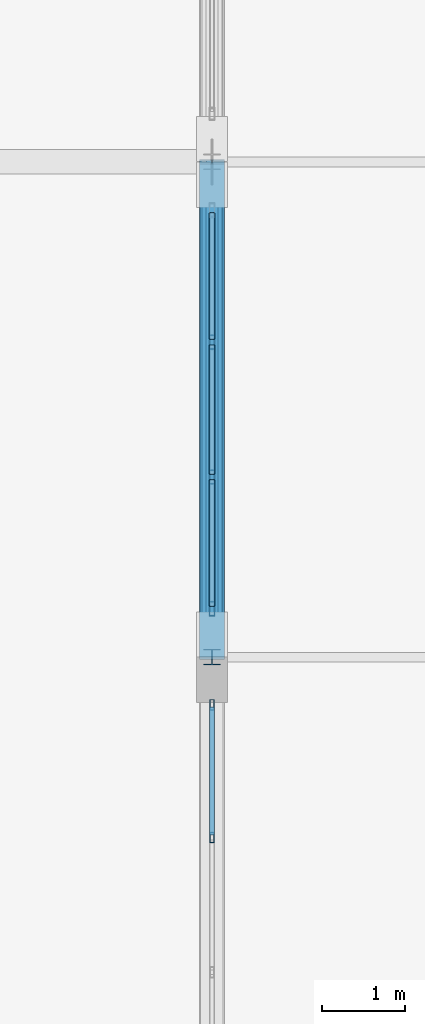
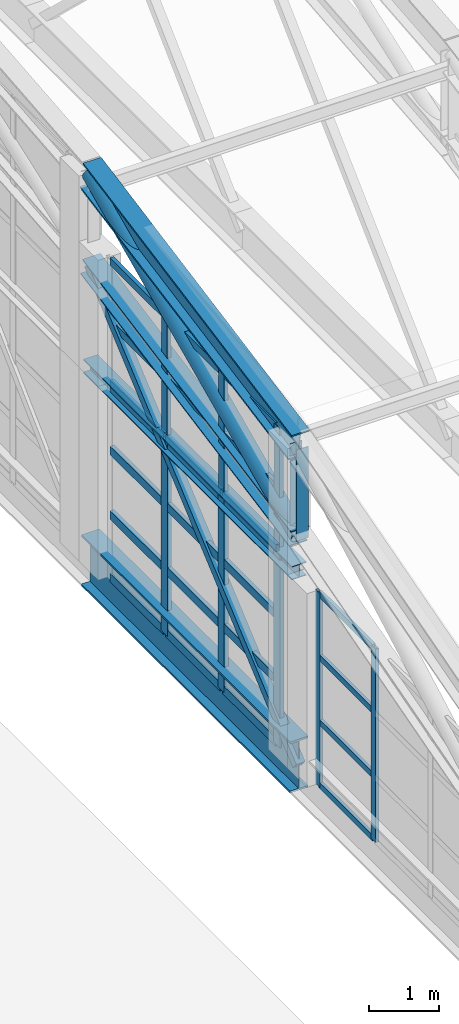
# One storey, part 77 of 204: 40 members, 3 elements without a shape of their own.
"""IFC4 building model written with IfcOpenShell, lengths in metres."""

import ifcopenshell
import ifcopenshell.guid

model = None  # the IFC model being written
_history = None  # IfcOwnerHistory: only IFC2X3 demands one
_inside = {}  # id of a spatial element -> (the spatial element, [elements in it])
_under = {}  # id of a project, library or spatial element -> (it, [spatial elements below it])
_declared = {}  # id of a project -> (the project, [libraries it declares])
_typed = {}  # id of a type object -> (the type object, [elements of that type])
_made_of = {}  # id of a material, layer set ... -> (it, [elements and type objects made of it])


def new_model(schema):
    """Start an empty IFC model of exactly this schema.

    Asked for "IFC4X3", IfcOpenShell would pick the latest addendum, in which some entities
    have other attributes; the version numbers below select the first issue.
    IFC2X3 requires an IfcOwnerHistory on every rooted entity: one is made here for all.
    """
    global model, _history
    if schema == "IFC4X3":
        model = ifcopenshell.file(schema_version=(4, 3, 0, 0))
    else:
        model = ifcopenshell.file(schema=schema)
    _inside.clear()
    _under.clear()
    _declared.clear()
    _typed.clear()
    _made_of.clear()
    _history = None
    if model.schema == "IFC2X3":
        org = make("IfcOrganization", Name="unknown")
        user = make(
            "IfcPersonAndOrganization",
            ThePerson=make("IfcPerson", FamilyName="unknown"),
            TheOrganization=org,
        )
        app = make(
            "IfcApplication",
            ApplicationDeveloper=org,
            Version="unknown",
            ApplicationFullName="unknown",
            ApplicationIdentifier="unknown",
        )
        _history = make(
            "IfcOwnerHistory",
            OwningUser=user,
            OwningApplication=app,
            ChangeAction="ADDED",
            CreationDate=0,
        )
    return model


def make(cls, **values):
    """One entity of the class cls with the attributes given. An attribute that is None is left unset."""
    return model.create_entity(
        cls, **{name: value for name, value in values.items() if value is not None}
    )


def rooted(cls, **values):
    """An entity with a GlobalId (a new one), such as an element, a storey or a relation."""
    return make(cls, GlobalId=ifcopenshell.guid.new(), OwnerHistory=_history, **values)


def si_unit(unit_type, name, prefix=None):
    """IfcSIUnit, for example si_unit("LENGTHUNIT", "METRE", prefix="MILLI")."""
    return make("IfcSIUnit", UnitType=unit_type, Prefix=prefix, Name=name)


def assignment(units):
    """IfcUnitAssignment: the units of a project."""
    return None if units is None else make("IfcUnitAssignment", Units=units)


def point(xyz):
    """IfcCartesianPoint."""
    return None if xyz is None else make("IfcCartesianPoint", Coordinates=xyz)


def direction(xyz):
    """IfcDirection."""
    return None if xyz is None else make("IfcDirection", DirectionRatios=xyz)


def frame(location, z_axis=None, x_axis=None):
    """IfcAxis2Placement3D, a coordinate frame: its origin and axes. An axis left out is left unset."""
    return make(
        "IfcAxis2Placement3D",
        Location=point(location),
        Axis=direction(z_axis),
        RefDirection=direction(x_axis),
    )


def frame_2d(location, x_axis=None):
    """IfcAxis2Placement2D, a coordinate frame in the plane: its origin and x axis."""
    return make(
        "IfcAxis2Placement2D", Location=point(location), RefDirection=direction(x_axis)
    )


def origin():
    """The frame at (0, 0, 0) with its axes left unset."""
    return frame((0.0, 0.0, 0.0))


def origin_2d():
    """The frame at (0, 0) in the plane with its x axis left unset."""
    return frame_2d((0.0, 0.0))


def place(relative_to, where):
    """IfcLocalPlacement: puts the frame where relative to a parent placement (None: the world)."""
    return make(
        "IfcLocalPlacement", PlacementRelTo=relative_to, RelativePlacement=where
    )


def context(
    kind, dimensions, precision=None, world=None, true_north=None, identifier=None
):
    """IfcGeometricRepresentationContext, for example the 3D "Model" context."""
    return make(
        "IfcGeometricRepresentationContext",
        ContextIdentifier=identifier,
        ContextType=kind,
        CoordinateSpaceDimension=dimensions,
        Precision=precision,
        WorldCoordinateSystem=world,
        TrueNorth=true_north,
    )


def subcontext(parent, identifier, kind, view, scale=None):
    """IfcGeometricRepresentationSubContext, for example "Body" below "Model"."""
    return make(
        "IfcGeometricRepresentationSubContext",
        ContextIdentifier=identifier,
        ContextType=kind,
        ParentContext=parent,
        TargetScale=scale,
        TargetView=view,
    )


def project(units=None, contexts=None):
    """IfcProject with its units and contexts."""
    return rooted(
        "IfcProject",
        Name="project",
        RepresentationContexts=contexts,
        UnitsInContext=assignment(units),
    )


def spatial(cls, under=None, at=None, **own):
    """A site, building, storey or space (cls), placed at a placement, below another one or the project."""
    s = rooted(cls, ObjectPlacement=at, **own)
    if under is not None:
        _under.setdefault(under.id(), (under, []))[1].append(s)
    return s


def profile(cls, at=None, kind="AREA", **sizes):
    """A parametric profile (cls). Its sizes go by their IFC names, for example OverallWidth=200.0."""
    return make(cls, ProfileType=kind, Position=at, **sizes)


def hollow_rectangle(**sizes):
    """IfcRectangleHollowProfileDef."""
    return profile("IfcRectangleHollowProfileDef", **sizes)


def hollow_circle(**sizes):
    """IfcCircleHollowProfileDef."""
    return profile("IfcCircleHollowProfileDef", **sizes)


def i_section(**sizes):
    """IfcIShapeProfileDef."""
    return profile("IfcIShapeProfileDef", **sizes)


def extrude(swept, where, along, depth):
    """IfcExtrudedAreaSolid: the profile swept, set in the frame where, extruded along a direction by depth."""
    return make(
        "IfcExtrudedAreaSolid",
        SweptArea=swept,
        Position=where,
        ExtrudedDirection=direction(along),
        Depth=depth,
    )


def shape(context_of_items, identifier, shape_type, items):
    """IfcShapeRepresentation: the items that make up one representation, for example the "Body"."""
    return make(
        "IfcShapeRepresentation",
        ContextOfItems=context_of_items,
        RepresentationIdentifier=identifier,
        RepresentationType=shape_type,
        Items=items,
    )


def material(Name=None, Category=None):
    """IfcMaterial."""
    return make("IfcMaterial", Name=Name, Category=Category)


def layer(
    of_material, thickness, ventilated=None, Name=None, Category=None, Priority=None
):
    """IfcMaterialLayer: one layer of a wall or slab, of a material (None: an air gap)."""
    return make(
        "IfcMaterialLayer",
        Material=of_material,
        LayerThickness=thickness,
        IsVentilated=ventilated,
        Name=Name,
        Category=Category,
        Priority=Priority,
    )


def layer_set(layers, Name=None):
    """IfcMaterialLayerSet."""
    return make("IfcMaterialLayerSet", MaterialLayers=layers, LayerSetName=Name)


def material_profile(
    of_material, cross_section, Name=None, Category=None, Priority=None
):
    """IfcMaterialProfile: a cross section and its material."""
    return make(
        "IfcMaterialProfile",
        Name=Name,
        Material=of_material,
        Profile=cross_section,
        Priority=Priority,
        Category=Category,
    )


def profile_set(profiles, Name=None, composite=None):
    """IfcMaterialProfileSet."""
    return make(
        "IfcMaterialProfileSet",
        Name=Name,
        MaterialProfiles=profiles,
        CompositeProfile=composite,
    )


def made_of(thing, what):
    """Note that an element or type object is made of a material, layer set ...; save() writes the relation."""
    if what is not None:
        _made_of.setdefault(what.id(), (what, []))[1].append(thing)
    return thing


def type_object(cls, material=None, **own):
    """A type object (cls), such as IfcWallType, which elements share."""
    return made_of(rooted(cls, **own), material)


def element(
    cls,
    number,
    at=None,
    inside=None,
    cuts=None,
    type_object=None,
    material=None,
    context=None,
    identifier="Body",
    shape_type=None,
    held_by="IfcProductDefinitionShape",
    body=None,
    shapes=None,
    **own,
):
    """One element of the class cls, such as IfcWall. Its Tag is "e" and its number.

    at: its placement. inside: the storey or other place that contains it. cuts: it is an
    opening in that element (IfcRelVoidsElement). A single representation is given by context,
    identifier, shape_type and body (its items); several are given by shapes. held_by: the class
    of the entity that holds the representations. save() writes the other relations.
    """
    e = rooted(cls, Tag="e%d" % number, ObjectPlacement=at, **own)
    if body is not None:
        shapes = [shape(context, identifier, shape_type, body)]
    if shapes is not None:
        e.Representation = make(held_by, Representations=shapes)
    if inside is not None:
        _inside.setdefault(inside.id(), (inside, []))[1].append(e)
    if cuts is not None:
        rooted(
            "IfcRelVoidsElement", RelatingBuildingElement=cuts, RelatedOpeningElement=e
        )
    if type_object is not None:
        _typed.setdefault(type_object.id(), (type_object, []))[1].append(e)
    return made_of(e, material)


def aggregate(whole, parts):
    """IfcRelAggregates: a whole, such as a stair, and the parts it consists of."""
    return rooted("IfcRelAggregates", RelatingObject=whole, RelatedObjects=parts)


def save(model, path):
    """Write the relations noted so far, then the file.

    IfcRelAggregates (storeys below a building ...), IfcRelContainedInSpatialStructure (elements
    in a storey), IfcRelDefinesByType, IfcRelAssociatesMaterial and IfcRelDeclares: one each for
    every whole, place, type object, material and project.
    """
    for whole, parts in _under.values():
        aggregate(whole, parts)
    for where, things in _inside.values():
        rooted(
            "IfcRelContainedInSpatialStructure",
            RelatedElements=things,
            RelatingStructure=where,
        )
    for kind, things in _typed.values():
        rooted("IfcRelDefinesByType", RelatedObjects=things, RelatingType=kind)
    for what, things in _made_of.values():
        rooted("IfcRelAssociatesMaterial", RelatedObjects=things, RelatingMaterial=what)
    for by, libraries in _declared.values():
        rooted("IfcRelDeclares", RelatingContext=by, RelatedDefinitions=libraries)
    model.write(path)


model = new_model("IFC4")

# Units and contexts
model_context = context("Model", 3, precision=1e-05, world=origin(), true_north=direction((0.0, 1.0)))
body_context = subcontext(model_context, "Body", "Model", "MODEL_VIEW")
ifc_project = project(units=[si_unit("LENGTHUNIT", "METRE"), si_unit("AREAUNIT", "SQUARE_METRE"), si_unit("VOLUMEUNIT", "CUBIC_METRE"), si_unit("PLANEANGLEUNIT", "RADIAN"), si_unit("MASSUNIT", "GRAM", prefix="KILO")], contexts=[model_context])

# Site, building, storey
site_placement = place(None, origin())
site = spatial("IfcSite", under=ifc_project, at=site_placement, CompositionType="ELEMENT")
building_placement = place(site_placement, origin())
building = spatial("IfcBuilding", under=site, at=building_placement, Name="Zilviju Railside Exhibition Hall", CompositionType="ELEMENT")
storey_placement = place(building_placement, frame((0.0, 0.0, 21.0)))
storey = spatial("IfcBuildingStorey", under=building, at=storey_placement, Name="RF", CompositionType="ELEMENT", Elevation=21.0)

# Curtain wall, members
ifc_material_1 = material(Name="Thermally broken aluminium-steel triple-glazed curtain wall", Category="steel")
ifc_layer_1 = layer(ifc_material_1, 0.179931640625)
ifc_layer_set_1 = layer_set([ifc_layer_1], Name="Thermally broken aluminium-steel triple-glazed curtain wall")
curtain_wall_type_1 = type_object("IfcCurtainWallType", Name="CW-BAY-20", PredefinedType="USERDEFINED", material=ifc_layer_set_1)
curtain_wall_1_placement = place(storey_placement, origin())
curtain_wall_1 = element("IfcCurtainWall", 1, at=curtain_wall_1_placement, inside=storey, type_object=curtain_wall_type_1, Name="North Hall Arch Lower Tympanum Glazing West P2", ObjectType="GLAZED CURTAIN WALL", PredefinedType="USERDEFINED")
ifc_material_2 = material(Name="Thermally broken anodized aluminium mullion", Category="aluminium")
ifc_material_profile_1 = material_profile(ifc_material_2, hollow_rectangle(XDim=0.054931640625, YDim=0.1298828125, WallThickness=0.0048828125, at=origin_2d()), Name="MULLION 130x55x5")
ifc_profile_set_1 = profile_set([ifc_material_profile_1], Name="Thermally broken anodized aluminium mullion")
member_type_1 = type_object("IfcMemberType", Name="CWM-55x130", PredefinedType="MULLION", material=ifc_profile_set_1)
member_1_placement = place(storey_placement, frame((78.0, 93.816650390625, -3.60009765625), z_axis=(0.0, 0.0, 1.0), x_axis=(-1.0, 0.0, 0.0)))
member_1 = element("IfcMember", 2, at=member_1_placement, type_object=member_type_1, Name="CW-20 mullion 3", PredefinedType="MULLION", context=body_context, shape_type="SweptSolid", body=[
    extrude(hollow_rectangle(XDim=0.054931640625, YDim=0.1298828125, WallThickness=0.0048828125, at=origin_2d()), origin(), (0.0, 0.0, 1.0), 3.400146484375),
])
member_2_placement = place(storey_placement, frame((78.0, 95.422607421875, -3.60009765625), z_axis=(0.0, 0.0, 1.0), x_axis=(-1.0, 0.0, 0.0)))
member_2 = element("IfcMember", 3, at=member_2_placement, type_object=member_type_1, Name="CW-20 mullion 4", PredefinedType="MULLION", context=body_context, shape_type="SweptSolid", body=[
    extrude(hollow_rectangle(XDim=0.054931640625, YDim=0.1298828125, WallThickness=0.0048828125, at=origin_2d()), origin(), (0.0, 0.0, 1.0), 3.400146484375),
])

ifc_layer_2 = layer(ifc_material_1, 0.179931640625)
ifc_layer_set_2 = layer_set([ifc_layer_2], Name="Thermally broken aluminium-steel triple-glazed curtain wall")
curtain_wall_type_2 = type_object("IfcCurtainWallType", Name="CW-BAY-08", PredefinedType="USERDEFINED", material=ifc_layer_set_2)
curtain_wall_2_placement = place(storey_placement, origin())
curtain_wall_2 = element("IfcCurtainWall", 4, at=curtain_wall_2_placement, inside=storey, type_object=curtain_wall_type_2, Name="North Hall Crown Arch Tympanum Glazing West P3", ObjectType="GLAZED CURTAIN WALL", PredefinedType="USERDEFINED")
ifc_material_profile_2 = material_profile(ifc_material_2, hollow_rectangle(XDim=0.06494140625, YDim=0.159912109375, WallThickness=0.0048828125, at=origin_2d()), Name="MULLION 160x65x5")
ifc_profile_set_2 = profile_set([ifc_material_profile_2], Name="Thermally broken anodized aluminium mullion")
member_type_2 = type_object("IfcMemberType", Name="CWM-65x160", PredefinedType="MULLION", material=ifc_profile_set_2)
member_3_placement = place(storey_placement, frame((78.0, 96.58251953125, -0.199951171875), z_axis=(0.0, 0.0, 1.0), x_axis=(-1.0, 0.0, 0.0)))
member_3 = element("IfcMember", 5, at=member_3_placement, type_object=member_type_2, Name="CW-08 mullion 1", PredefinedType="MULLION", context=body_context, shape_type="SweptSolid", body=[
    extrude(hollow_rectangle(XDim=0.06494140625, YDim=0.159912109375, WallThickness=0.0048828125, at=origin_2d()), origin(), (0.0, 0.0, 1.0), 2.209716796875),
])
member_4_placement = place(storey_placement, frame((78.0, 98.183349609375, -0.199951171875), z_axis=(0.0, 0.0, 1.0), x_axis=(-1.0, 0.0, 0.0)))
member_4 = element("IfcMember", 6, at=member_4_placement, type_object=member_type_2, Name="CW-08 mullion 2", PredefinedType="MULLION", context=body_context, shape_type="SweptSolid", body=[
    extrude(hollow_rectangle(XDim=0.06494140625, YDim=0.159912109375, WallThickness=0.0048828125, at=origin_2d()), origin(), (0.0, 0.0, 1.0), 2.209716796875),
])
member_5_placement = place(storey_placement, frame((78.0, 99.816650390625, -0.199951171875), z_axis=(0.0, 0.0, 1.0), x_axis=(-1.0, 0.0, 0.0)))
member_5 = element("IfcMember", 7, at=member_5_placement, type_object=member_type_2, Name="CW-08 mullion 3", PredefinedType="MULLION", context=body_context, shape_type="SweptSolid", body=[
    extrude(hollow_rectangle(XDim=0.06494140625, YDim=0.159912109375, WallThickness=0.0048828125, at=origin_2d()), origin(), (0.0, 0.0, 1.0), 2.209716796875),
])

ifc_layer_3 = layer(ifc_material_1, 0.179931640625)
ifc_layer_set_3 = layer_set([ifc_layer_3], Name="Thermally broken aluminium-steel triple-glazed curtain wall")
curtain_wall_type_3 = type_object("IfcCurtainWallType", Name="CW-BAY-01", PredefinedType="USERDEFINED", material=ifc_layer_set_3)
curtain_wall_3_placement = place(storey_placement, origin())
curtain_wall_3 = element("IfcCurtainWall", 8, at=curtain_wall_3_placement, inside=storey, type_object=curtain_wall_type_3, Name="North Hall Arch Lower Tympanum Glazing West P3", ObjectType="GLAZED CURTAIN WALL", PredefinedType="USERDEFINED")
ifc_material_profile_3 = material_profile(ifc_material_2, hollow_rectangle(XDim=0.070068359375, YDim=0.179931640625, WallThickness=0.0048828125, at=origin_2d()), Name="MULLION 180x70x5")
ifc_profile_set_3 = profile_set([ifc_material_profile_3], Name="Thermally broken anodized aluminium mullion")
member_type_3 = type_object("IfcMemberType", Name="CWM-70x180", PredefinedType="MULLION", material=ifc_profile_set_3)
member_6_placement = place(storey_placement, frame((78.0, 96.5849609375, -3.60009765625), z_axis=(0.0, 0.0, 1.0), x_axis=(-1.0, 0.0, 0.0)))
member_6 = element("IfcMember", 9, at=member_6_placement, type_object=member_type_3, Name="CW-01 mullion 1", PredefinedType="MULLION", context=body_context, shape_type="SweptSolid", body=[
    extrude(hollow_rectangle(XDim=0.070068359375, YDim=0.179931640625, WallThickness=0.0048828125, at=origin_2d()), origin(), (0.0, 0.0, 1.0), 3.400146484375),
])
member_7_placement = place(storey_placement, frame((78.0, 98.183349609375, -3.60009765625), z_axis=(0.0, 0.0, 1.0), x_axis=(-1.0, 0.0, 0.0)))
member_7 = element("IfcMember", 10, at=member_7_placement, type_object=member_type_3, Name="CW-01 mullion 2", PredefinedType="MULLION", context=body_context, shape_type="SweptSolid", body=[
    extrude(hollow_rectangle(XDim=0.070068359375, YDim=0.179931640625, WallThickness=0.0048828125, at=origin_2d()), origin(), (0.0, 0.0, 1.0), 3.400146484375),
])
member_8_placement = place(storey_placement, frame((78.0, 99.816650390625, -3.60009765625), z_axis=(0.0, 0.0, 1.0), x_axis=(-1.0, 0.0, 0.0)))
member_8 = element("IfcMember", 11, at=member_8_placement, type_object=member_type_3, Name="CW-01 mullion 3", PredefinedType="MULLION", context=body_context, shape_type="SweptSolid", body=[
    extrude(hollow_rectangle(XDim=0.070068359375, YDim=0.179931640625, WallThickness=0.0048828125, at=origin_2d()), origin(), (0.0, 0.0, 1.0), 3.400146484375),
])

# Member
ifc_material_3 = material(Name="Thermally broken anodized aluminium transom", Category="aluminium")
ifc_material_profile_4 = material_profile(ifc_material_3, hollow_rectangle(XDim=0.054931640625, YDim=0.10498046875, WallThickness=0.0048828125, at=origin_2d()), Name="TRANSOM 105x55x5")
ifc_profile_set_4 = profile_set([ifc_material_profile_4], Name="Thermally broken anodized aluminium transom")
member_type_4 = type_object("IfcMemberType", Name="CWT-55x105", PredefinedType="USERDEFINED", material=ifc_profile_set_4)
member_9_placement = place(storey_placement, frame((78.0, 93.84423828125, -3.572509765625), z_axis=(0.0, 1.0, 0.0), x_axis=(-1.0, 0.0, 0.0)))
member_9 = element("IfcMember", 12, at=member_9_placement, type_object=member_type_4, Name="CW-20 transom 3.1", ObjectType="TRANSOM", PredefinedType="USERDEFINED", context=body_context, shape_type="SweptSolid", body=[
    extrude(hollow_rectangle(XDim=0.054931640625, YDim=0.10498046875, WallThickness=0.0048828125, at=origin_2d()), origin(), (0.0, 0.0, 1.0), 1.55078125),
])

member_10_placement = place(storey_placement, frame((78.0, 93.84423828125, -2.467041015625), z_axis=(0.0, 1.0, 0.0), x_axis=(-1.0, 0.0, 0.0)))
member_10 = element("IfcMember", 13, at=member_10_placement, type_object=member_type_4, Name="CW-20 transom 3.2", ObjectType="TRANSOM", PredefinedType="USERDEFINED", context=body_context, shape_type="SweptSolid", body=[
    extrude(hollow_rectangle(XDim=0.054931640625, YDim=0.10498046875, WallThickness=0.0048828125, at=origin_2d()), origin(), (0.0, 0.0, 1.0), 1.55078125),
])

member_11_placement = place(storey_placement, frame((78.0, 93.84423828125, -1.3330078125), z_axis=(0.0, 1.0, 0.0), x_axis=(-1.0, 0.0, 0.0)))
member_11 = element("IfcMember", 14, at=member_11_placement, type_object=member_type_4, Name="CW-20 transom 3.3", ObjectType="TRANSOM", PredefinedType="USERDEFINED", context=body_context, shape_type="SweptSolid", body=[
    extrude(hollow_rectangle(XDim=0.054931640625, YDim=0.10498046875, WallThickness=0.0048828125, at=origin_2d()), origin(), (0.0, 0.0, 1.0), 1.55078125),
])

member_12_placement = place(storey_placement, frame((78.0, 93.84423828125, -0.2275390625), z_axis=(0.0, 1.0, 0.0), x_axis=(-1.0, 0.0, 0.0)))
member_12 = element("IfcMember", 15, at=member_12_placement, type_object=member_type_4, Name="CW-20 transom 3.4", ObjectType="TRANSOM", PredefinedType="USERDEFINED", context=body_context, shape_type="SweptSolid", body=[
    extrude(hollow_rectangle(XDim=0.054931640625, YDim=0.10498046875, WallThickness=0.0048828125, at=origin_2d()), origin(), (0.0, 0.0, 1.0), 1.55078125),
])

aggregate(curtain_wall_1, [member_1, member_2, member_9, member_10, member_11, member_12])

ifc_material_profile_5 = material_profile(ifc_material_3, hollow_rectangle(XDim=0.06494140625, YDim=0.1298828125, WallThickness=0.0048828125, at=origin_2d()), Name="TRANSOM 130x65x5")
ifc_profile_set_5 = profile_set([ifc_material_profile_5], Name="Thermally broken anodized aluminium transom")
member_type_5 = type_object("IfcMemberType", Name="CWT-65x130", PredefinedType="USERDEFINED", material=ifc_profile_set_5)
member_13_placement = place(storey_placement, frame((78.0, 96.614990234375, -0.16748046875), z_axis=(0.0, 1.0, 0.0), x_axis=(-1.0, 0.0, 0.0)))
member_13 = element("IfcMember", 16, at=member_13_placement, type_object=member_type_5, Name="CW-08 transom 1.1", ObjectType="TRANSOM", PredefinedType="USERDEFINED", context=body_context, shape_type="SweptSolid", body=[
    extrude(hollow_rectangle(XDim=0.06494140625, YDim=0.1298828125, WallThickness=0.0048828125, at=origin_2d()), origin(), (0.0, 0.0, 1.0), 1.535888671875),
])

member_14_placement = place(storey_placement, frame((78.0, 96.614990234375, 0.905029296875), z_axis=(0.0, 1.0, 0.0), x_axis=(-1.0, 0.0, 0.0)))
member_14 = element("IfcMember", 17, at=member_14_placement, type_object=member_type_5, Name="CW-08 transom 1.2", ObjectType="TRANSOM", PredefinedType="USERDEFINED", context=body_context, shape_type="SweptSolid", body=[
    extrude(hollow_rectangle(XDim=0.06494140625, YDim=0.1298828125, WallThickness=0.0048828125, at=origin_2d()), origin(), (0.0, 0.0, 1.0), 1.535888671875),
])

member_15_placement = place(storey_placement, frame((78.0, 96.614990234375, 1.977294921875), z_axis=(0.0, 1.0, 0.0), x_axis=(-1.0, 0.0, 0.0)))
member_15 = element("IfcMember", 18, at=member_15_placement, type_object=member_type_5, Name="CW-08 transom 1.3", ObjectType="TRANSOM", PredefinedType="USERDEFINED", context=body_context, shape_type="SweptSolid", body=[
    extrude(hollow_rectangle(XDim=0.06494140625, YDim=0.1298828125, WallThickness=0.0048828125, at=origin_2d()), origin(), (0.0, 0.0, 1.0), 1.535888671875),
])

member_16_placement = place(storey_placement, frame((78.0, 98.2158203125, -0.16748046875), z_axis=(0.0, 1.0, 0.0), x_axis=(-1.0, 0.0, 0.0)))
member_16 = element("IfcMember", 19, at=member_16_placement, type_object=member_type_5, Name="CW-08 transom 2.1", ObjectType="TRANSOM", PredefinedType="USERDEFINED", context=body_context, shape_type="SweptSolid", body=[
    extrude(hollow_rectangle(XDim=0.06494140625, YDim=0.1298828125, WallThickness=0.0048828125, at=origin_2d()), origin(), (0.0, 0.0, 1.0), 1.568359375),
])

member_17_placement = place(storey_placement, frame((78.0, 98.2158203125, 0.905029296875), z_axis=(0.0, 1.0, 0.0), x_axis=(-1.0, 0.0, 0.0)))
member_17 = element("IfcMember", 20, at=member_17_placement, type_object=member_type_5, Name="CW-08 transom 2.2", ObjectType="TRANSOM", PredefinedType="USERDEFINED", context=body_context, shape_type="SweptSolid", body=[
    extrude(hollow_rectangle(XDim=0.06494140625, YDim=0.1298828125, WallThickness=0.0048828125, at=origin_2d()), origin(), (0.0, 0.0, 1.0), 1.568359375),
])

member_18_placement = place(storey_placement, frame((78.0, 98.2158203125, 1.977294921875), z_axis=(0.0, 1.0, 0.0), x_axis=(-1.0, 0.0, 0.0)))
member_18 = element("IfcMember", 21, at=member_18_placement, type_object=member_type_5, Name="CW-08 transom 2.3", ObjectType="TRANSOM", PredefinedType="USERDEFINED", context=body_context, shape_type="SweptSolid", body=[
    extrude(hollow_rectangle(XDim=0.06494140625, YDim=0.1298828125, WallThickness=0.0048828125, at=origin_2d()), origin(), (0.0, 0.0, 1.0), 1.568359375),
])

member_19_placement = place(storey_placement, frame((78.0, 99.84912109375, -0.16748046875), z_axis=(0.0, 1.0, 0.0), x_axis=(-1.0, 0.0, 0.0)))
member_19 = element("IfcMember", 22, at=member_19_placement, type_object=member_type_5, Name="CW-08 transom 3.1", ObjectType="TRANSOM", PredefinedType="USERDEFINED", context=body_context, shape_type="SweptSolid", body=[
    extrude(hollow_rectangle(XDim=0.06494140625, YDim=0.1298828125, WallThickness=0.0048828125, at=origin_2d()), origin(), (0.0, 0.0, 1.0), 1.535888671875),
])

member_20_placement = place(storey_placement, frame((78.0, 99.84912109375, 0.905029296875), z_axis=(0.0, 1.0, 0.0), x_axis=(-1.0, 0.0, 0.0)))
member_20 = element("IfcMember", 23, at=member_20_placement, type_object=member_type_5, Name="CW-08 transom 3.2", ObjectType="TRANSOM", PredefinedType="USERDEFINED", context=body_context, shape_type="SweptSolid", body=[
    extrude(hollow_rectangle(XDim=0.06494140625, YDim=0.1298828125, WallThickness=0.0048828125, at=origin_2d()), origin(), (0.0, 0.0, 1.0), 1.535888671875),
])

member_21_placement = place(storey_placement, frame((78.0, 99.84912109375, 1.977294921875), z_axis=(0.0, 1.0, 0.0), x_axis=(-1.0, 0.0, 0.0)))
member_21 = element("IfcMember", 24, at=member_21_placement, type_object=member_type_5, Name="CW-08 transom 3.3", ObjectType="TRANSOM", PredefinedType="USERDEFINED", context=body_context, shape_type="SweptSolid", body=[
    extrude(hollow_rectangle(XDim=0.06494140625, YDim=0.1298828125, WallThickness=0.0048828125, at=origin_2d()), origin(), (0.0, 0.0, 1.0), 1.535888671875),
])

aggregate(curtain_wall_2, [member_3, member_4, member_5, member_13, member_14, member_15, member_16, member_17, member_18, member_19, member_20, member_21])

ifc_material_profile_6 = material_profile(ifc_material_3, hollow_rectangle(XDim=0.070068359375, YDim=0.14990234375, WallThickness=0.0048828125, at=origin_2d()), Name="TRANSOM 150x70x5")
ifc_profile_set_6 = profile_set([ifc_material_profile_6], Name="Thermally broken anodized aluminium transom")
member_type_6 = type_object("IfcMemberType", Name="CWT-70x150", PredefinedType="USERDEFINED", material=ifc_profile_set_6)
member_22_placement = place(storey_placement, frame((78.0, 96.6201171875, -3.56494140625), z_axis=(0.0, 1.0, 0.0), x_axis=(-1.0, 0.0, 0.0)))
member_22 = element("IfcMember", 25, at=member_22_placement, type_object=member_type_6, Name="CW-01 transom 1.1", ObjectType="TRANSOM", PredefinedType="USERDEFINED", context=body_context, shape_type="SweptSolid", body=[
    extrude(hollow_rectangle(XDim=0.070068359375, YDim=0.14990234375, WallThickness=0.0048828125, at=origin_2d()), origin(), (0.0, 0.0, 1.0), 1.5283203125),
])

member_23_placement = place(storey_placement, frame((78.0, 96.6201171875, -2.467041015625), z_axis=(0.0, 1.0, 0.0), x_axis=(-1.0, 0.0, 0.0)))
member_23 = element("IfcMember", 26, at=member_23_placement, type_object=member_type_6, Name="CW-01 transom 1.2", ObjectType="TRANSOM", PredefinedType="USERDEFINED", context=body_context, shape_type="SweptSolid", body=[
    extrude(hollow_rectangle(XDim=0.070068359375, YDim=0.14990234375, WallThickness=0.0048828125, at=origin_2d()), origin(), (0.0, 0.0, 1.0), 1.5283203125),
])

member_24_placement = place(storey_placement, frame((78.0, 96.6201171875, -1.3330078125), z_axis=(0.0, 1.0, 0.0), x_axis=(-1.0, 0.0, 0.0)))
member_24 = element("IfcMember", 27, at=member_24_placement, type_object=member_type_6, Name="CW-01 transom 1.3", ObjectType="TRANSOM", PredefinedType="USERDEFINED", context=body_context, shape_type="SweptSolid", body=[
    extrude(hollow_rectangle(XDim=0.070068359375, YDim=0.14990234375, WallThickness=0.0048828125, at=origin_2d()), origin(), (0.0, 0.0, 1.0), 1.5283203125),
])

member_25_placement = place(storey_placement, frame((78.0, 96.6201171875, -0.235107421875), z_axis=(0.0, 1.0, 0.0), x_axis=(-1.0, 0.0, 0.0)))
member_25 = element("IfcMember", 28, at=member_25_placement, type_object=member_type_6, Name="CW-01 transom 1.4", ObjectType="TRANSOM", PredefinedType="USERDEFINED", context=body_context, shape_type="SweptSolid", body=[
    extrude(hollow_rectangle(XDim=0.070068359375, YDim=0.14990234375, WallThickness=0.0048828125, at=origin_2d()), origin(), (0.0, 0.0, 1.0), 1.5283203125),
])

member_26_placement = place(storey_placement, frame((78.0, 98.21826171875, -3.56494140625), z_axis=(0.0, 1.0, 0.0), x_axis=(-1.0, 0.0, 0.0)))
member_26 = element("IfcMember", 29, at=member_26_placement, type_object=member_type_6, Name="CW-01 transom 2.1", ObjectType="TRANSOM", PredefinedType="USERDEFINED", context=body_context, shape_type="SweptSolid", body=[
    extrude(hollow_rectangle(XDim=0.070068359375, YDim=0.14990234375, WallThickness=0.0048828125, at=origin_2d()), origin(), (0.0, 0.0, 1.0), 1.5634765625),
])

member_27_placement = place(storey_placement, frame((78.0, 98.21826171875, -2.467041015625), z_axis=(0.0, 1.0, 0.0), x_axis=(-1.0, 0.0, 0.0)))
member_27 = element("IfcMember", 30, at=member_27_placement, type_object=member_type_6, Name="CW-01 transom 2.2", ObjectType="TRANSOM", PredefinedType="USERDEFINED", context=body_context, shape_type="SweptSolid", body=[
    extrude(hollow_rectangle(XDim=0.070068359375, YDim=0.14990234375, WallThickness=0.0048828125, at=origin_2d()), origin(), (0.0, 0.0, 1.0), 1.5634765625),
])

member_28_placement = place(storey_placement, frame((78.0, 98.21826171875, -1.3330078125), z_axis=(0.0, 1.0, 0.0), x_axis=(-1.0, 0.0, 0.0)))
member_28 = element("IfcMember", 31, at=member_28_placement, type_object=member_type_6, Name="CW-01 transom 2.3", ObjectType="TRANSOM", PredefinedType="USERDEFINED", context=body_context, shape_type="SweptSolid", body=[
    extrude(hollow_rectangle(XDim=0.070068359375, YDim=0.14990234375, WallThickness=0.0048828125, at=origin_2d()), origin(), (0.0, 0.0, 1.0), 1.5634765625),
])

member_29_placement = place(storey_placement, frame((78.0, 98.21826171875, -0.235107421875), z_axis=(0.0, 1.0, 0.0), x_axis=(-1.0, 0.0, 0.0)))
member_29 = element("IfcMember", 32, at=member_29_placement, type_object=member_type_6, Name="CW-01 transom 2.4", ObjectType="TRANSOM", PredefinedType="USERDEFINED", context=body_context, shape_type="SweptSolid", body=[
    extrude(hollow_rectangle(XDim=0.070068359375, YDim=0.14990234375, WallThickness=0.0048828125, at=origin_2d()), origin(), (0.0, 0.0, 1.0), 1.5634765625),
])

member_30_placement = place(storey_placement, frame((78.0, 99.8515625, -3.56494140625), z_axis=(0.0, 1.0, 0.0), x_axis=(-1.0, 0.0, 0.0)))
member_30 = element("IfcMember", 33, at=member_30_placement, type_object=member_type_6, Name="CW-01 transom 3.1", ObjectType="TRANSOM", PredefinedType="USERDEFINED", context=body_context, shape_type="SweptSolid", body=[
    extrude(hollow_rectangle(XDim=0.070068359375, YDim=0.14990234375, WallThickness=0.0048828125, at=origin_2d()), origin(), (0.0, 0.0, 1.0), 1.5283203125),
])

member_31_placement = place(storey_placement, frame((78.0, 99.8515625, -2.467041015625), z_axis=(0.0, 1.0, 0.0), x_axis=(-1.0, 0.0, 0.0)))
member_31 = element("IfcMember", 34, at=member_31_placement, type_object=member_type_6, Name="CW-01 transom 3.2", ObjectType="TRANSOM", PredefinedType="USERDEFINED", context=body_context, shape_type="SweptSolid", body=[
    extrude(hollow_rectangle(XDim=0.070068359375, YDim=0.14990234375, WallThickness=0.0048828125, at=origin_2d()), origin(), (0.0, 0.0, 1.0), 1.5283203125),
])

member_32_placement = place(storey_placement, frame((78.0, 99.8515625, -1.3330078125), z_axis=(0.0, 1.0, 0.0), x_axis=(-1.0, 0.0, 0.0)))
member_32 = element("IfcMember", 35, at=member_32_placement, type_object=member_type_6, Name="CW-01 transom 3.3", ObjectType="TRANSOM", PredefinedType="USERDEFINED", context=body_context, shape_type="SweptSolid", body=[
    extrude(hollow_rectangle(XDim=0.070068359375, YDim=0.14990234375, WallThickness=0.0048828125, at=origin_2d()), origin(), (0.0, 0.0, 1.0), 1.5283203125),
])

member_33_placement = place(storey_placement, frame((78.0, 99.8515625, -0.235107421875), z_axis=(0.0, 1.0, 0.0), x_axis=(-1.0, 0.0, 0.0)))
member_33 = element("IfcMember", 36, at=member_33_placement, type_object=member_type_6, Name="CW-01 transom 3.4", ObjectType="TRANSOM", PredefinedType="USERDEFINED", context=body_context, shape_type="SweptSolid", body=[
    extrude(hollow_rectangle(XDim=0.070068359375, YDim=0.14990234375, WallThickness=0.0048828125, at=origin_2d()), origin(), (0.0, 0.0, 1.0), 1.5283203125),
])

aggregate(curtain_wall_3, [member_6, member_7, member_8, member_22, member_23, member_24, member_25, member_26, member_27, member_28, member_29, member_30, member_31, member_32, member_33])

# Members
ifc_material_4 = material(Name="Steel S355ML", Category="steel")
ifc_material_profile_7 = material_profile(ifc_material_4, hollow_circle(Radius=0.136474609375, WallThickness=0.012451171875, at=origin_2d()), Name="CHS 273.0x12.5")
ifc_profile_set_7 = profile_set([ifc_material_profile_7], Name="Steel S355ML")
member_type_7 = type_object("IfcMemberType", Name="TR-BR-CHS273", PredefinedType="BRACE", material=ifc_profile_set_7)
member_34_placement = place(storey_placement, frame((78.0, 96.0, 0.409912109375), z_axis=(0.0, 0.909316915895, 0.416104249518), x_axis=(-1.0, 0.0, 0.0)))
element("IfcMember", 37, at=member_34_placement, inside=storey, type_object=member_type_7, Name="V2 Parabolic Arch Web Diagonal X=78.0 P3", PredefinedType="BRACE", context=body_context, shape_type="SweptSolid", body=[
    extrude(hollow_circle(Radius=0.136474609375, WallThickness=0.012451171875, at=origin_2d()), origin(), (0.0, 0.0, 1.0), 6.598388671875),
])
ifc_material_5 = material(Name="Steel S355J2", Category="steel")
ifc_material_profile_8 = material_profile(ifc_material_5, i_section(OverallWidth=0.239990234375, OverallDepth=0.239990234375, WebThickness=0.010009765625, FlangeThickness=0.01708984375, at=origin_2d()), Name="HEB 240")
ifc_profile_set_8 = profile_set([ifc_material_profile_8], Name="Steel S355J2")
member_type_8 = type_object("IfcMemberType", Name="TR-CH-HEB240", PredefinedType="CHORD", material=ifc_profile_set_8)
member_35_placement = place(storey_placement, frame((78.0, 96.0, -0.199951171875), z_axis=(0.0, 1.0, 0.0), x_axis=(-1.0, 0.0, 0.0)))
element("IfcMember", 38, at=member_35_placement, inside=storey, type_object=member_type_8, Name="V2 Crown Gable Transom X=78.0 (96..102)", PredefinedType="CHORD", context=body_context, shape_type="SweptSolid", body=[
    extrude(i_section(OverallWidth=0.239990234375, OverallDepth=0.239990234375, WebThickness=0.010009765625, FlangeThickness=0.01708984375, at=origin_2d()), origin(), (0.0, 0.0, 1.0), 6.0),
])
ifc_material_profile_9 = material_profile(ifc_material_4, i_section(OverallWidth=0.300048828125, OverallDepth=0.300048828125, WebThickness=0.010986328125, FlangeThickness=0.01904296875, at=origin_2d()), Name="HEB 300")
ifc_profile_set_9 = profile_set([ifc_material_profile_9], Name="Steel S355ML")
member_type_9 = type_object("IfcMemberType", Name="TR-CH-HEB300", PredefinedType="CHORD", material=ifc_profile_set_9)
member_36_placement = place(storey_placement, frame((78.0, 96.0, 0.409912109375), z_axis=(0.0, 0.98225135267, 0.187569400964), x_axis=(-1.0, 0.0, 0.0)))
element("IfcMember", 39, at=member_36_placement, inside=storey, type_object=member_type_9, Name="V2 Parabolic Arch Bottom Chord X=78.0 P3", PredefinedType="CHORD", context=body_context, shape_type="SweptSolid", body=[
    extrude(i_section(OverallWidth=0.300048828125, OverallDepth=0.300048828125, WebThickness=0.010986328125, FlangeThickness=0.01904296875, at=origin_2d()), origin(), (0.0, 0.0, 1.0), 6.1083984375),
])
ifc_material_profile_10 = material_profile(ifc_material_4, i_section(OverallWidth=0.300048828125, OverallDepth=0.5, WebThickness=0.014404296875, FlangeThickness=0.028076171875, at=origin_2d()), Name="HEB 500")
ifc_profile_set_10 = profile_set([ifc_material_profile_10], Name="Steel S355ML")
member_type_10 = type_object("IfcMemberType", Name="TR-CH-HEB500-ML", PredefinedType="CHORD", material=ifc_profile_set_10)
member_37_placement = place(storey_placement, frame((78.0, 96.0, 2.009765625), z_axis=(0.0, 0.98225135267, 0.187569400964), x_axis=(-1.0, 0.0, 0.0)))
element("IfcMember", 40, at=member_37_placement, inside=storey, type_object=member_type_10, Name="V2 Parabolic Arch Top Chord X=78.0 P3", PredefinedType="CHORD", context=body_context, shape_type="SweptSolid", body=[
    extrude(i_section(OverallWidth=0.300048828125, OverallDepth=0.5, WebThickness=0.014404296875, FlangeThickness=0.028076171875, at=origin_2d()), origin(), (0.0, 0.0, 1.0), 6.1083984375),
])
ifc_material_profile_11 = material_profile(ifc_material_4, i_section(OverallWidth=0.199951171875, OverallDepth=0.18994140625, WebThickness=0.006591796875, FlangeThickness=0.010009765625, at=origin_2d()), Name="HEA 200")
ifc_profile_set_11 = profile_set([ifc_material_profile_11], Name="Steel S355ML")
member_type_11 = type_object("IfcMemberType", Name="TR-POST-HEA200", PredefinedType="POST", material=ifc_profile_set_11)
member_38_placement = place(storey_placement, frame((78.0, 96.0, 0.409912109375), z_axis=(0.0, 0.0, 1.0), x_axis=(1.0, 0.0, 0.0)))
element("IfcMember", 41, at=member_38_placement, inside=storey, type_object=member_type_11, Name="V2 Parabolic Arch Web Post X=78.0 N2", PredefinedType="POST", context=body_context, shape_type="SweptSolid", body=[
    extrude(i_section(OverallWidth=0.199951171875, OverallDepth=0.18994140625, WebThickness=0.006591796875, FlangeThickness=0.010009765625, at=origin_2d()), origin(), (0.0, 0.0, 1.0), 1.599853515625),
])
ifc_material_profile_12 = material_profile(ifc_material_5, hollow_rectangle(XDim=0.14990234375, YDim=0.14990234375, WallThickness=0.008056640625, at=origin_2d()), Name="SHS 150x150x8.0")
ifc_profile_set_12 = profile_set([ifc_material_profile_12], Name="Steel S355J2")
member_type_12 = type_object("IfcMemberType", Name="TR-POST-SHS150", PredefinedType="POST", material=ifc_profile_set_12)
member_39_placement = place(storey_placement, frame((78.0, 96.0, -3.60009765625), z_axis=(0.0, 0.758449992634, 0.651731239602), x_axis=(-1.0, 0.0, 0.0)))
element("IfcMember", 42, at=member_39_placement, inside=storey, type_object=member_type_12, Name="V2 Arch Tie Hanger X=78.0 N2", PredefinedType="POST", context=body_context, shape_type="SweptSolid", body=[
    extrude(hollow_rectangle(XDim=0.14990234375, YDim=0.14990234375, WallThickness=0.008056640625, at=origin_2d()), origin(), (0.0, 0.0, 1.0), 7.910888671875),
])
ifc_material_profile_13 = material_profile(ifc_material_5, i_section(OverallWidth=0.300048828125, OverallDepth=0.89990234375, WebThickness=0.0185546875, FlangeThickness=0.034912109375, at=origin_2d()), Name="HEB 900")
ifc_profile_set_13 = profile_set([ifc_material_profile_13], Name="Steel S355J2")
member_type_13 = type_object("IfcMemberType", Name="TR-TIE-HEB900", PredefinedType="CHORD", material=ifc_profile_set_13)
member_40_placement = place(storey_placement, frame((78.0, 96.0, -3.60009765625), z_axis=(0.0, 1.0, 0.0), x_axis=(-1.0, 0.0, 0.0)))
element("IfcMember", 43, at=member_40_placement, inside=storey, type_object=member_type_13, Name="V2 Arch Tie Member X=78.0", PredefinedType="CHORD", context=body_context, shape_type="SweptSolid", body=[
    extrude(i_section(OverallWidth=0.300048828125, OverallDepth=0.89990234375, WebThickness=0.0185546875, FlangeThickness=0.034912109375, at=origin_2d()), origin(), (0.0, 0.0, 1.0), 6.0),
])

save(model, "model.ifc")
